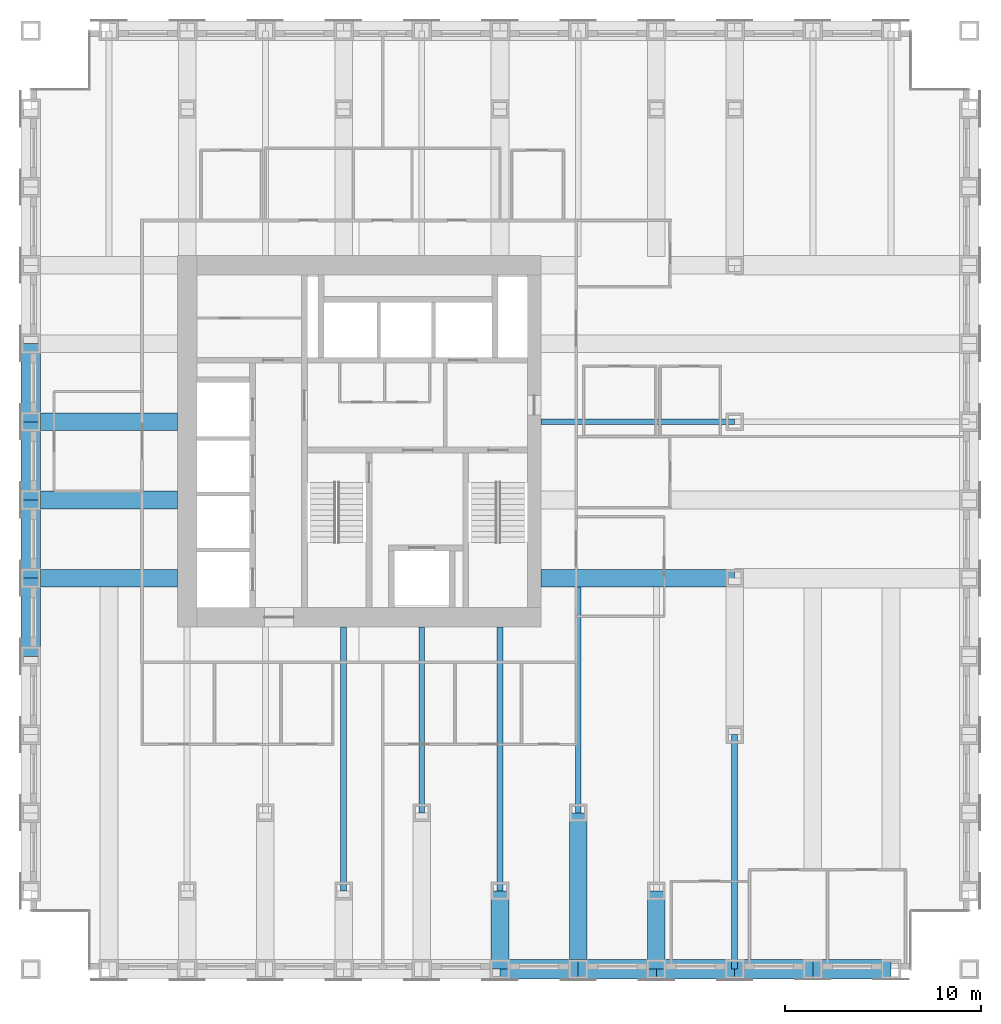
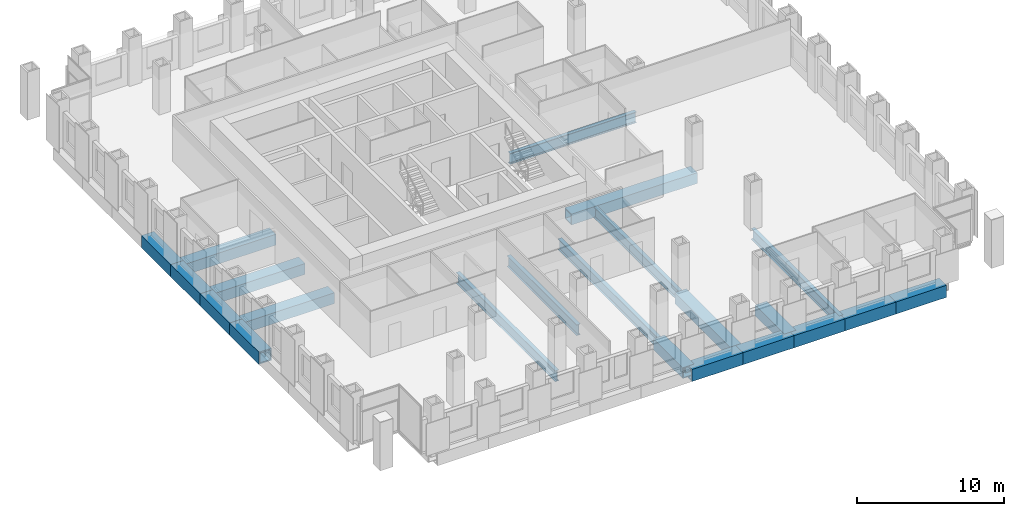
# One storey, part 3 of 17: 22 beams.
"""IFC4 building model written with IfcOpenShell, lengths in metres."""

from ifc_helpers import new_model, si_unit, direction, frame, origin, origin_2d, place, context, subcontext, project, spatial, hollow_rectangle, i_section, extrude, material, material_profile, profile_set, type_object, element, save


model = new_model("IFC4")

# Units and contexts
model_context = context("Model", 3, precision=1e-05, world=origin(), true_north=direction((0.0, 1.0)))
body_context = subcontext(model_context, "Body", "Model", "MODEL_VIEW")
ifc_project = project(units=[si_unit("LENGTHUNIT", "METRE"), si_unit("AREAUNIT", "SQUARE_METRE"), si_unit("VOLUMEUNIT", "CUBIC_METRE"), si_unit("PLANEANGLEUNIT", "RADIAN"), si_unit("MASSUNIT", "GRAM", prefix="KILO")], contexts=[model_context])

# Site, building, storey
site_placement = place(None, origin())
site = spatial("IfcSite", under=ifc_project, at=site_placement, CompositionType="ELEMENT")
building_placement = place(site_placement, origin())
building = spatial("IfcBuilding", under=site, at=building_placement, Name="Rimbunsela Tower", CompositionType="ELEMENT")
storey_placement = place(building_placement, frame((0.0, 0.0, 101.39990234375)))
storey = spatial("IfcBuildingStorey", under=building, at=storey_placement, Name="L24", CompositionType="ELEMENT", Elevation=101.39990234375)

# Beams
ifc_material_1 = material(Name="Steel BJ 55 (fy 410 MPa)", Category="steel")
ifc_material_profile_1 = material_profile(ifc_material_1, hollow_rectangle(XDim=1.0, YDim=1.0, WallThickness=0.10009765625, at=origin_2d()), Name="BOX 1000x1000x100")
ifc_profile_set_1 = profile_set([ifc_material_profile_1], Name="Steel BJ 55 (fy 410 MPa)")
beam_type_1 = type_object("IfcBeamType", Name="Beam BOX 1000x1000x100", PredefinedType="BEAM", material=ifc_profile_set_1)
for number, where, z_axis, x_axis, name in (
    (1, (10.0, 16.0, -0.64990234375), (0.0, 1.0, 0.0), (-1.0, 0.0, 0.0), "Beam B3 L24"),
    (2, (10.0, 20.0, -0.64990234375), (0.0, 1.0, 0.0), (-1.0, 0.0, 0.0), "Beam B3 L24"),
    (3, (10.0, 24.0, -0.64990234375), (0.0, 1.0, 0.0), (-1.0, 0.0, 0.0), "Beam B3 L24"),
    (4, (10.0, 28.0, -0.64990234375), (0.0, 1.0, 0.0), (-1.0, 0.0, 0.0), "Beam B3 L24"),
    (5, (34.0, 0.0, -0.64990234375), (1.0, 0.0, 0.0), (0.0, 1.0, 0.0), "Beam B3 L24"),
    (6, (38.0, 0.0, -0.64990234375), (1.0, 0.0, 0.0), (0.0, 1.0, 0.0), "Beam B3 L24"),
    (7, (42.0, 0.0, -0.64990234375), (1.0, 0.0, 0.0), (0.0, 1.0, 0.0), "Beam B3 L24"),
    (8, (46.0, 0.0, -0.64990234375), (1.0, 0.0, 0.0), (0.0, 1.0, 0.0), "Beam B3 L24"),
    (9, (50.0, 0.0, -0.64990234375), (1.0, 0.0, 0.0), (0.0, 1.0, 0.0), "Beam B3 L24"),
):
    element("IfcBeam", number, at=place(storey_placement, frame(where, z_axis=z_axis, x_axis=x_axis)), inside=storey, type_object=beam_type_1, Name=name, PredefinedType="BEAM", context=body_context, shape_type="SweptSolid", body=[
        extrude(hollow_rectangle(XDim=1.0, YDim=1.0, WallThickness=0.10009765625, at=origin_2d()), origin(), (0.0, 0.0, 1.0), 4.0),
    ])
ifc_material_2 = material(Name="Steel BJ 55 (fy 410 MPa)", Category="steel")
ifc_material_profile_2 = material_profile(ifc_material_2, hollow_rectangle(XDim=0.89990234375, YDim=0.89990234375, WallThickness=0.06005859375, at=origin_2d()), Name="BOX 900x900x60")
ifc_profile_set_2 = profile_set([ifc_material_profile_2], Name="Steel BJ 55 (fy 410 MPa)")
beam_type_2 = type_object("IfcBeamType", Name="Beam BOX 900x900x60", PredefinedType="BEAM", material=ifc_profile_set_2)
for number, where, z_axis, x_axis, name in (
    (10, (10.0, 20.0, -0.599853515625), (1.0, 0.0, 0.0), (0.0, 1.0, 0.0), "Beam B1 L24"),
    (11, (10.0, 24.0, -0.599853515625), (1.0, 0.0, 0.0), (0.0, 1.0, 0.0), "Beam B1 L24"),
    (12, (10.0, 28.0, -0.599853515625), (1.0, 0.0, 0.0), (0.0, 1.0, 0.0), "Beam B1 L24"),
):
    element("IfcBeam", number, at=place(storey_placement, frame(where, z_axis=z_axis, x_axis=x_axis)), inside=storey, type_object=beam_type_2, Name=name, PredefinedType="BEAM", context=body_context, shape_type="SweptSolid", body=[
        extrude(hollow_rectangle(XDim=0.89990234375, YDim=0.89990234375, WallThickness=0.06005859375, at=origin_2d()), origin(), (0.0, 0.0, 1.0), 7.5),
    ])
beam_1_placement = place(storey_placement, frame((34.0, 0.0, -0.599853515625), z_axis=(0.0, 1.0, 0.0), x_axis=(-1.0, 0.0, 0.0)))
element("IfcBeam", 13, at=beam_1_placement, inside=storey, type_object=beam_type_2, Name="Beam B1 L24", PredefinedType="BEAM", context=body_context, shape_type="SweptSolid", body=[
    extrude(hollow_rectangle(XDim=0.89990234375, YDim=0.89990234375, WallThickness=0.06005859375, at=origin_2d()), origin(), (0.0, 0.0, 1.0), 4.0),
])
beam_2_placement = place(storey_placement, frame((36.10009765625, 20.0, -0.599853515625), z_axis=(1.0, 0.0, 0.0), x_axis=(0.0, 1.0, 0.0)))
element("IfcBeam", 14, at=beam_2_placement, inside=storey, type_object=beam_type_2, Name="Beam B1 L24", PredefinedType="BEAM", context=body_context, shape_type="SweptSolid", body=[
    extrude(hollow_rectangle(XDim=0.89990234375, YDim=0.89990234375, WallThickness=0.06005859375, at=origin_2d()), origin(), (0.0, 0.0, 1.0), 9.89990234375),
])
beam_3_placement = place(storey_placement, frame((38.0, 0.0, -0.599853515625), z_axis=(0.0, 1.0, 0.0), x_axis=(-1.0, 0.0, 0.0)))
element("IfcBeam", 15, at=beam_3_placement, inside=storey, type_object=beam_type_2, Name="Beam B1 L24", PredefinedType="BEAM", context=body_context, shape_type="SweptSolid", body=[
    extrude(hollow_rectangle(XDim=0.89990234375, YDim=0.89990234375, WallThickness=0.06005859375, at=origin_2d()), origin(), (0.0, 0.0, 1.0), 8.0),
])
beam_4_placement = place(storey_placement, frame((42.0, 0.0, -0.599853515625), z_axis=(0.0, 1.0, 0.0), x_axis=(-1.0, 0.0, 0.0)))
element("IfcBeam", 16, at=beam_4_placement, inside=storey, type_object=beam_type_2, Name="Beam B1 L24", PredefinedType="BEAM", context=body_context, shape_type="SweptSolid", body=[
    extrude(hollow_rectangle(XDim=0.89990234375, YDim=0.89990234375, WallThickness=0.06005859375, at=origin_2d()), origin(), (0.0, 0.0, 1.0), 4.0),
])
ifc_material_3 = material(Name="Steel BJ 55 (fy 410 MPa)", Category="steel")
ifc_material_profile_3 = material_profile(ifc_material_3, i_section(OverallWidth=0.300048828125, OverallDepth=0.89990234375, WebThickness=0.01611328125, FlangeThickness=0.028076171875, FilletRadius=0.028076171875, at=origin_2d()), Name="H 900x300x16x28")
ifc_profile_set_3 = profile_set([ifc_material_profile_3], Name="Steel BJ 55 (fy 410 MPa)")
beam_type_3 = type_object("IfcBeamType", Name="Beam H 900x300x16x28", PredefinedType="BEAM", material=ifc_profile_set_3)
beam_5_placement = place(storey_placement, frame((26.0, 4.0, -0.599853515625), z_axis=(0.0, 1.0, 0.0), x_axis=(-1.0, 0.0, 0.0)))
element("IfcBeam", 17, at=beam_5_placement, inside=storey, type_object=beam_type_3, Name="Beam B2 L24", PredefinedType="BEAM", context=body_context, shape_type="SweptSolid", body=[
    extrude(i_section(OverallWidth=0.300048828125, OverallDepth=0.89990234375, WebThickness=0.01611328125, FlangeThickness=0.028076171875, FilletRadius=0.028076171875, at=origin_2d()), origin(), (0.0, 0.0, 1.0), 13.5),
])
beam_6_placement = place(storey_placement, frame((30.0, 8.0, -0.599853515625), z_axis=(0.0, 1.0, 0.0), x_axis=(-1.0, 0.0, 0.0)))
element("IfcBeam", 18, at=beam_6_placement, inside=storey, type_object=beam_type_3, Name="Beam B2 L24", PredefinedType="BEAM", context=body_context, shape_type="SweptSolid", body=[
    extrude(i_section(OverallWidth=0.300048828125, OverallDepth=0.89990234375, WebThickness=0.01611328125, FlangeThickness=0.028076171875, FilletRadius=0.028076171875, at=origin_2d()), origin(), (0.0, 0.0, 1.0), 9.5),
])
beam_7_placement = place(storey_placement, frame((34.0, 4.0, -0.599853515625), z_axis=(0.0, 1.0, 0.0), x_axis=(-1.0, 0.0, 0.0)))
element("IfcBeam", 19, at=beam_7_placement, inside=storey, type_object=beam_type_3, Name="Beam B2 L24", PredefinedType="BEAM", context=body_context, shape_type="SweptSolid", body=[
    extrude(i_section(OverallWidth=0.300048828125, OverallDepth=0.89990234375, WebThickness=0.01611328125, FlangeThickness=0.028076171875, FilletRadius=0.028076171875, at=origin_2d()), origin(), (0.0, 0.0, 1.0), 13.5),
])
beam_8_placement = place(storey_placement, frame((36.10009765625, 28.0, -0.599853515625), z_axis=(1.0, 0.0, 0.0), x_axis=(0.0, 1.0, 0.0)))
element("IfcBeam", 20, at=beam_8_placement, inside=storey, type_object=beam_type_3, Name="Beam B2 L24", PredefinedType="BEAM", context=body_context, shape_type="SweptSolid", body=[
    extrude(i_section(OverallWidth=0.300048828125, OverallDepth=0.89990234375, WebThickness=0.01611328125, FlangeThickness=0.028076171875, FilletRadius=0.028076171875, at=origin_2d()), origin(), (0.0, 0.0, 1.0), 9.89990234375),
])
beam_9_placement = place(storey_placement, frame((38.0, 8.0, -0.599853515625), z_axis=(0.0, 1.0, 0.0), x_axis=(-1.0, 0.0, 0.0)))
element("IfcBeam", 21, at=beam_9_placement, inside=storey, type_object=beam_type_3, Name="Beam B2 L24", PredefinedType="BEAM", context=body_context, shape_type="SweptSolid", body=[
    extrude(i_section(OverallWidth=0.300048828125, OverallDepth=0.89990234375, WebThickness=0.01611328125, FlangeThickness=0.028076171875, FilletRadius=0.028076171875, at=origin_2d()), origin(), (0.0, 0.0, 1.0), 11.550048828125),
])
beam_10_placement = place(storey_placement, frame((46.0, 0.0, -0.599853515625), z_axis=(0.0, 1.0, 0.0), x_axis=(-1.0, 0.0, 0.0)))
element("IfcBeam", 22, at=beam_10_placement, inside=storey, type_object=beam_type_3, Name="Beam B2 L24", PredefinedType="BEAM", context=body_context, shape_type="SweptSolid", body=[
    extrude(i_section(OverallWidth=0.300048828125, OverallDepth=0.89990234375, WebThickness=0.01611328125, FlangeThickness=0.028076171875, FilletRadius=0.028076171875, at=origin_2d()), origin(), (0.0, 0.0, 1.0), 12.0),
])

save(model, "model.ifc")
